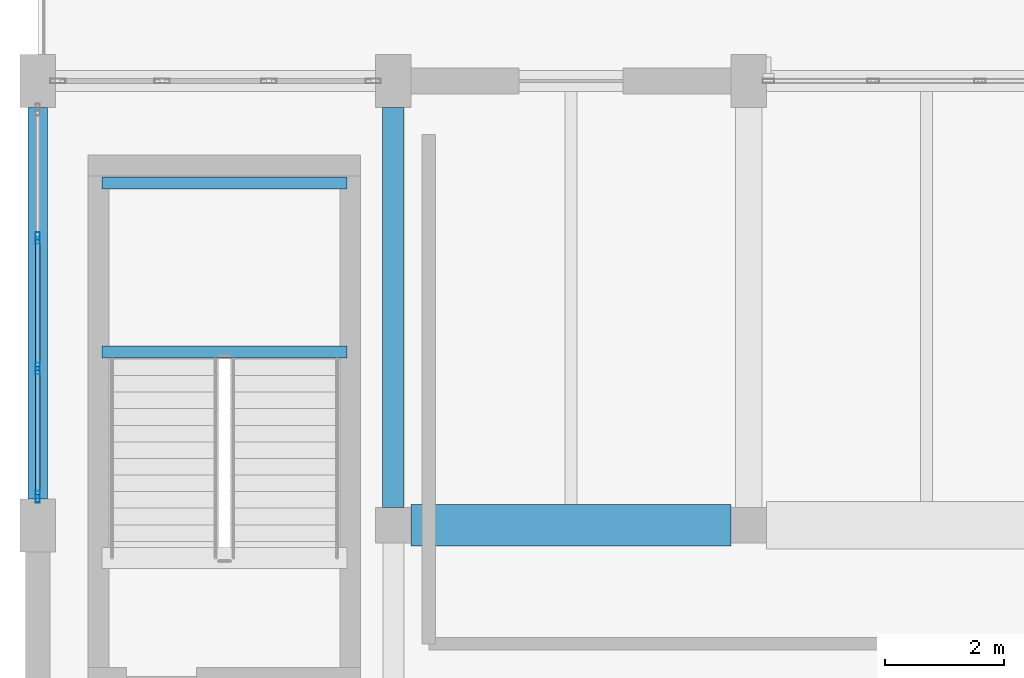
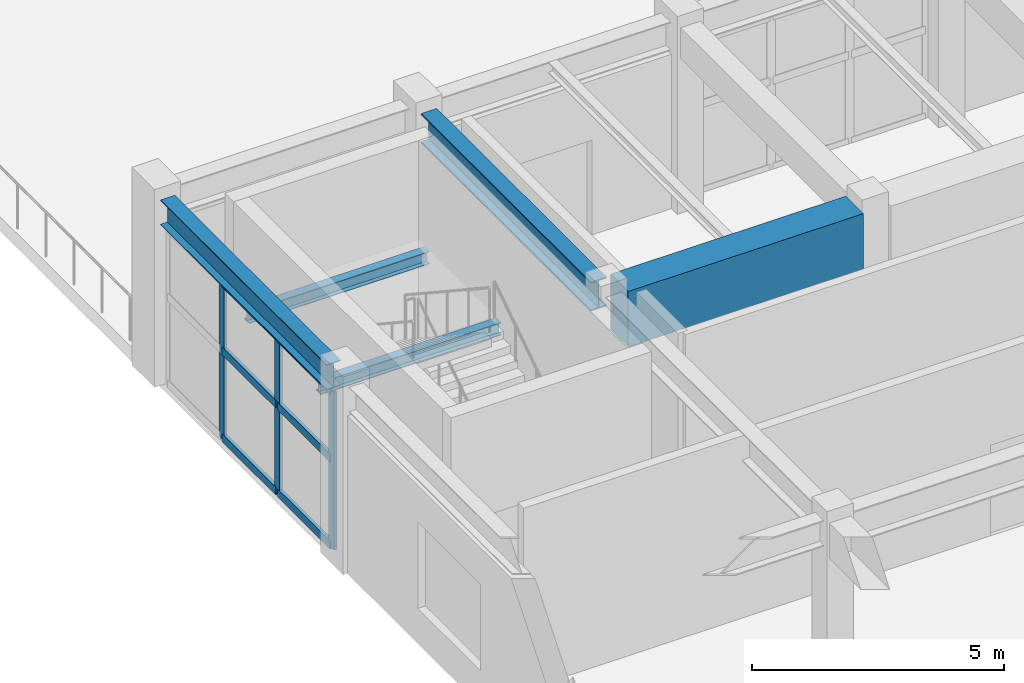
# One storey, part 33 of 80: 9 members, 5 beams, 1 element without a shape of its own.
"""IFC4 building model written with IfcOpenShell, lengths in metres."""

from ifc_helpers import new_model, si_unit, direction, frame, origin, origin_2d, place, context, subcontext, project, spatial, rectangle, hollow_rectangle, i_section, extrude, material, layer, layer_set, material_profile, profile_set, type_object, element, aggregate, save


model = new_model("IFC4")

# Units and contexts
model_context = context("Model", 3, precision=1e-05, world=origin(), true_north=direction((0.0, 1.0)))
body_context = subcontext(model_context, "Body", "Model", "MODEL_VIEW")
ifc_project = project(units=[si_unit("LENGTHUNIT", "METRE"), si_unit("AREAUNIT", "SQUARE_METRE"), si_unit("VOLUMEUNIT", "CUBIC_METRE"), si_unit("PLANEANGLEUNIT", "RADIAN"), si_unit("MASSUNIT", "GRAM", prefix="KILO")], contexts=[model_context])

# Site, building, storey
site_placement = place(None, origin())
site = spatial("IfcSite", under=ifc_project, at=site_placement, CompositionType="ELEMENT")
building_placement = place(site_placement, origin())
building = spatial("IfcBuilding", under=site, at=building_placement, Name="Vaelkrest Opera House", CompositionType="ELEMENT")
storey_placement = place(building_placement, frame((0.0, 0.0, 15.0)))
storey = spatial("IfcBuildingStorey", under=building, at=storey_placement, Name="L03", CompositionType="ELEMENT", Elevation=15.0)

# Beams
ifc_material_1 = material(Name="Concrete C50/60", Category="concrete")
ifc_material_profile_1 = material_profile(ifc_material_1, rectangle(XDim=0.699951171875, YDim=1.35009765625, at=origin_2d()), Name="RCB700X1350")
ifc_profile_set_1 = profile_set([ifc_material_profile_1], Name="Concrete C50/60")
beam_type_1 = type_object("IfcBeamType", Name="B06", PredefinedType="BEAM", material=ifc_profile_set_1)
beam_1_placement = place(storey_placement, frame((-69.300048828125, 10.199951171875, 3.830078125), z_axis=(1.0, 0.0, 0.0), x_axis=(0.0, 1.0, 0.0)))
element("IfcBeam", 1, at=beam_1_placement, inside=storey, type_object=beam_type_1, Name="Beam BM-V3-L03-1751", PredefinedType="BEAM", context=body_context, shape_type="SweptSolid", body=[
    extrude(rectangle(XDim=0.699951171875, YDim=1.35009765625, at=origin_2d()), origin(), (0.0, 0.0, 1.0), 5.400146484375),
])
ifc_material_2 = material(Name="Steel A992 Gr50", Category="steel")
ifc_material_profile_2 = material_profile(ifc_material_2, i_section(OverallWidth=0.35791015625, OverallDepth=0.7060546875, WebThickness=0.018310546875, FlangeThickness=0.0302734375, at=origin_2d()), Name="W27X178")
ifc_profile_set_2 = profile_set([ifc_material_profile_2], Name="Steel A992 Gr50")
beam_type_2 = type_object("IfcBeamType", Name="B14", PredefinedType="BEAM", material=ifc_profile_set_2)
beam_2_placement = place(storey_placement, frame((-69.60009765625, 10.5, 4.152099609375), z_axis=(0.0, 1.0, 0.0), x_axis=(-1.0, 0.0, 0.0)))
element("IfcBeam", 2, at=beam_2_placement, inside=storey, type_object=beam_type_2, Name="Beam BM-V3-L03-1770", PredefinedType="BEAM", context=body_context, shape_type="SweptSolid", body=[
    extrude(i_section(OverallWidth=0.35791015625, OverallDepth=0.7060546875, WebThickness=0.018310546875, FlangeThickness=0.0302734375, at=origin_2d()), origin(), (0.0, 0.0, 1.0), 6.75),
])

# Curtain wall, members
ifc_material_3 = material(Name="Dark bronze anodized aluminium", Category="aluminium")
ifc_layer = layer(ifc_material_3, 0.22998046875)
ifc_layer_set = layer_set([ifc_layer], Name="Dark bronze anodized aluminium")
curtain_wall_type = type_object("IfcCurtainWallType", Name="CW06", PredefinedType="NOTDEFINED", material=ifc_layer_set)
curtain_wall_placement = place(storey_placement, origin())
curtain_wall = element("IfcCurtainWall", 3, at=curtain_wall_placement, inside=storey, type_object=curtain_wall_type, Name="Curtain wall CW-L03-130", PredefinedType="NOTDEFINED")
ifc_material_profile_3 = material_profile(ifc_material_3, hollow_rectangle(XDim=0.070068359375, YDim=0.199951171875, WallThickness=0.004150390625, at=origin_2d()), Name="CWM70X200")
ifc_profile_set_3 = profile_set([ifc_material_profile_3], Name="Dark bronze anodized aluminium")
member_type_1 = type_object("IfcMemberType", Name="CWM02", PredefinedType="MULLION", material=ifc_profile_set_3)
member_1_placement = place(storey_placement, frame((-75.60009765625, 10.68310546875, 0.0), z_axis=(0.0, 0.0, 1.0), x_axis=(-1.0, 0.0, 0.0)))
member_1 = element("IfcMember", 4, at=member_1_placement, type_object=member_type_1, Name="CW06 mullion 1", PredefinedType="MULLION", context=body_context, shape_type="SweptSolid", body=[
    extrude(hollow_rectangle(XDim=0.070068359375, YDim=0.199951171875, WallThickness=0.004150390625, at=origin_2d()), origin(), (0.0, 0.0, 1.0), 3.8291015625),
])
member_2_placement = place(storey_placement, frame((-75.60009765625, 12.849365234375, 0.0), z_axis=(0.0, 0.0, 1.0), x_axis=(-1.0, 0.0, 0.0)))
member_2 = element("IfcMember", 5, at=member_2_placement, type_object=member_type_1, Name="CW06 mullion 2", PredefinedType="MULLION", context=body_context, shape_type="SweptSolid", body=[
    extrude(hollow_rectangle(XDim=0.070068359375, YDim=0.199951171875, WallThickness=0.004150390625, at=origin_2d()), origin(), (0.0, 0.0, 1.0), 3.8291015625),
])
member_3_placement = place(storey_placement, frame((-75.60009765625, 15.05078125, 0.0), z_axis=(0.0, 0.0, 1.0), x_axis=(-1.0, 0.0, 0.0)))
member_3 = element("IfcMember", 6, at=member_3_placement, type_object=member_type_1, Name="CW06 mullion 3", PredefinedType="MULLION", context=body_context, shape_type="SweptSolid", body=[
    extrude(hollow_rectangle(XDim=0.070068359375, YDim=0.199951171875, WallThickness=0.004150390625, at=origin_2d()), origin(), (0.0, 0.0, 1.0), 3.8291015625),
])
ifc_material_profile_4 = material_profile(ifc_material_3, hollow_rectangle(XDim=0.080078125, YDim=0.18994140625, WallThickness=0.0048828125, at=origin_2d()), Name="CWT80X190")
ifc_profile_set_4 = profile_set([ifc_material_profile_4], Name="Dark bronze anodized aluminium")
member_type_2 = type_object("IfcMemberType", Name="CWT04", PredefinedType="USERDEFINED", material=ifc_profile_set_4)
member_4_placement = place(storey_placement, frame((-75.60009765625, 10.718017578125, 0.0400390625), z_axis=(0.0, 1.0, 0.0), x_axis=(-1.0, 0.0, 0.0)))
member_4 = element("IfcMember", 7, at=member_4_placement, type_object=member_type_2, Name="CW06 transom 1.1", ObjectType="TRANSOM", PredefinedType="USERDEFINED", context=body_context, shape_type="SweptSolid", body=[
    extrude(hollow_rectangle(XDim=0.080078125, YDim=0.18994140625, WallThickness=0.0048828125, at=origin_2d()), origin(), (0.0, 0.0, 1.0), 2.096435546875),
])
member_5_placement = place(storey_placement, frame((-75.60009765625, 10.718017578125, 2.14990234375), z_axis=(0.0, 1.0, 0.0), x_axis=(-1.0, 0.0, 0.0)))
member_5 = element("IfcMember", 8, at=member_5_placement, type_object=member_type_2, Name="CW06 transom 1.2", ObjectType="TRANSOM", PredefinedType="USERDEFINED", context=body_context, shape_type="SweptSolid", body=[
    extrude(hollow_rectangle(XDim=0.080078125, YDim=0.18994140625, WallThickness=0.0048828125, at=origin_2d()), origin(), (0.0, 0.0, 1.0), 2.096435546875),
])
member_6_placement = place(storey_placement, frame((-75.60009765625, 10.718017578125, 3.7890625), z_axis=(0.0, 1.0, 0.0), x_axis=(-1.0, 0.0, 0.0)))
member_6 = element("IfcMember", 9, at=member_6_placement, type_object=member_type_2, Name="CW06 transom 1.3", ObjectType="TRANSOM", PredefinedType="USERDEFINED", context=body_context, shape_type="SweptSolid", body=[
    extrude(hollow_rectangle(XDim=0.080078125, YDim=0.18994140625, WallThickness=0.0048828125, at=origin_2d()), origin(), (0.0, 0.0, 1.0), 2.096435546875),
])
member_7_placement = place(storey_placement, frame((-75.60009765625, 12.88427734375, 0.0400390625), z_axis=(0.0, 1.0, 0.0), x_axis=(-1.0, 0.0, 0.0)))
member_7 = element("IfcMember", 10, at=member_7_placement, type_object=member_type_2, Name="CW06 transom 2.1", ObjectType="TRANSOM", PredefinedType="USERDEFINED", context=body_context, shape_type="SweptSolid", body=[
    extrude(hollow_rectangle(XDim=0.080078125, YDim=0.18994140625, WallThickness=0.0048828125, at=origin_2d()), origin(), (0.0, 0.0, 1.0), 2.13134765625),
])
member_8_placement = place(storey_placement, frame((-75.60009765625, 12.88427734375, 2.14990234375), z_axis=(0.0, 1.0, 0.0), x_axis=(-1.0, 0.0, 0.0)))
member_8 = element("IfcMember", 11, at=member_8_placement, type_object=member_type_2, Name="CW06 transom 2.2", ObjectType="TRANSOM", PredefinedType="USERDEFINED", context=body_context, shape_type="SweptSolid", body=[
    extrude(hollow_rectangle(XDim=0.080078125, YDim=0.18994140625, WallThickness=0.0048828125, at=origin_2d()), origin(), (0.0, 0.0, 1.0), 2.13134765625),
])
member_9_placement = place(storey_placement, frame((-75.60009765625, 12.88427734375, 3.7890625), z_axis=(0.0, 1.0, 0.0), x_axis=(-1.0, 0.0, 0.0)))
member_9 = element("IfcMember", 12, at=member_9_placement, type_object=member_type_2, Name="CW06 transom 2.3", ObjectType="TRANSOM", PredefinedType="USERDEFINED", context=body_context, shape_type="SweptSolid", body=[
    extrude(hollow_rectangle(XDim=0.080078125, YDim=0.18994140625, WallThickness=0.0048828125, at=origin_2d()), origin(), (0.0, 0.0, 1.0), 2.13134765625),
])
aggregate(curtain_wall, [member_1, member_2, member_3, member_4, member_5, member_6, member_7, member_8, member_9])

# Beams
ifc_material_profile_5 = material_profile(ifc_material_2, i_section(OverallWidth=0.202880859375, OverallDepth=0.302978515625, WebThickness=0.007568359375, FlangeThickness=0.01318359375, at=origin_2d()), Name="W12X40")
ifc_profile_set_5 = profile_set([ifc_material_profile_5], Name="Steel A992 Gr50")
beam_type_3 = type_object("IfcBeamType", Name="J02", PredefinedType="JOIST", material=ifc_profile_set_5)
for number, where, z_axis, x_axis, name in (
    (13, (-74.52001953125, 13.1298828125, 2.048583984375), (1.0, 0.0, 0.0), (0.0, 1.0, 0.0), "Stair landing bearer beam ST07 L03-1N"),
    (14, (-74.52001953125, 15.97998046875, 2.048583984375), (1.0, 0.0, 0.0), (0.0, 1.0, 0.0), "Stair landing bearer beam ST07 L03-1F"),
):
    element("IfcBeam", number, at=place(storey_placement, frame(where, z_axis=z_axis, x_axis=x_axis)), inside=storey, type_object=beam_type_3, Name=name, PredefinedType="JOIST", context=body_context, shape_type="SweptSolid", body=[
        extrude(i_section(OverallWidth=0.202880859375, OverallDepth=0.302978515625, WebThickness=0.007568359375, FlangeThickness=0.01318359375, at=origin_2d()), origin(), (0.0, 0.0, 1.0), 4.14013671875),
    ])
ifc_material_profile_6 = material_profile(ifc_material_2, i_section(OverallWidth=0.323974609375, OverallDepth=0.611083984375, WebThickness=0.0126953125, FlangeThickness=0.01904296875, at=origin_2d()), Name="W24X104")
ifc_profile_set_6 = profile_set([ifc_material_profile_6], Name="Steel A992 Gr50")
beam_type_4 = type_object("IfcBeamType", Name="SP01", PredefinedType="SPANDREL", material=ifc_profile_set_6)
beam_3_placement = place(storey_placement, frame((-75.60009765625, 10.64990234375, 4.199462890625), z_axis=(0.0, 1.0, 0.0), x_axis=(-1.0, 0.0, 0.0)))
element("IfcBeam", 15, at=beam_3_placement, inside=storey, type_object=beam_type_4, Name="Beam BM-V3-L03-1766", PredefinedType="SPANDREL", context=body_context, shape_type="SweptSolid", body=[
    extrude(i_section(OverallWidth=0.323974609375, OverallDepth=0.611083984375, WebThickness=0.0126953125, FlangeThickness=0.01904296875, at=origin_2d()), origin(), (0.0, 0.0, 1.0), 6.60009765625),
])

save(model, "model.ifc")
